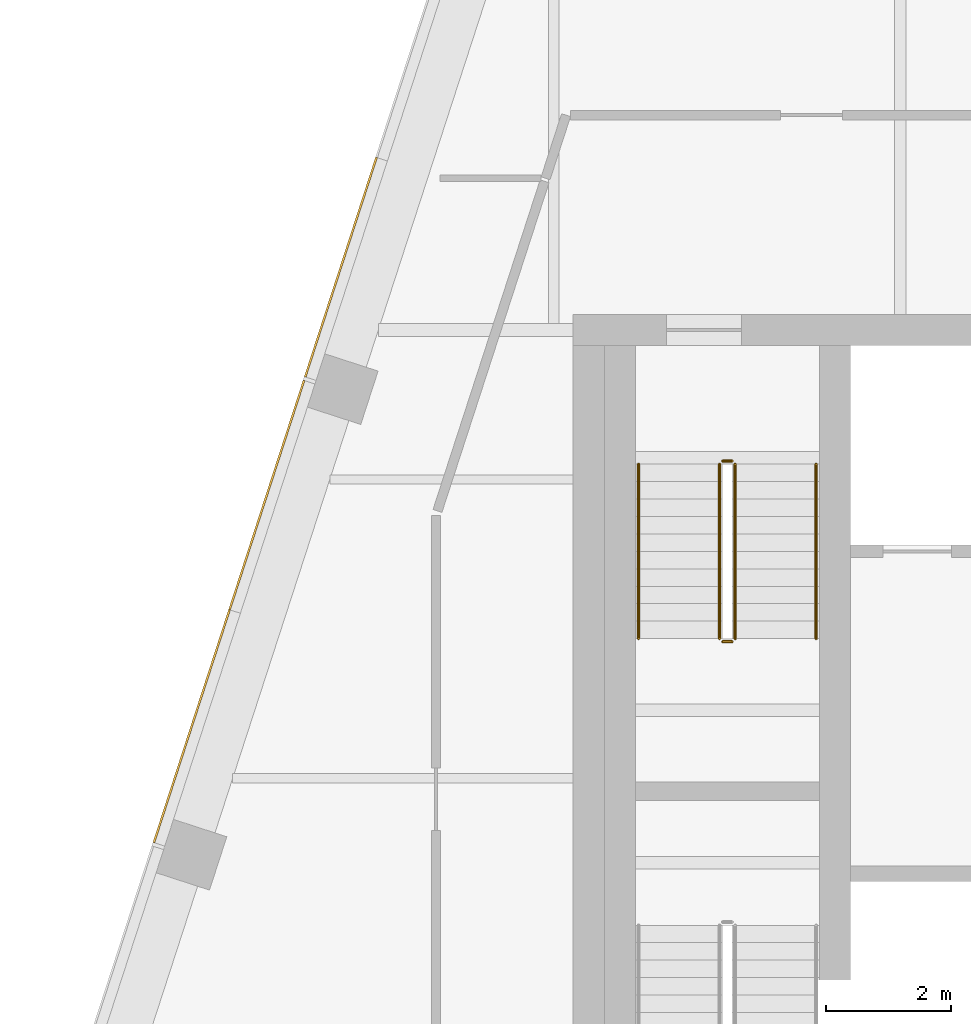
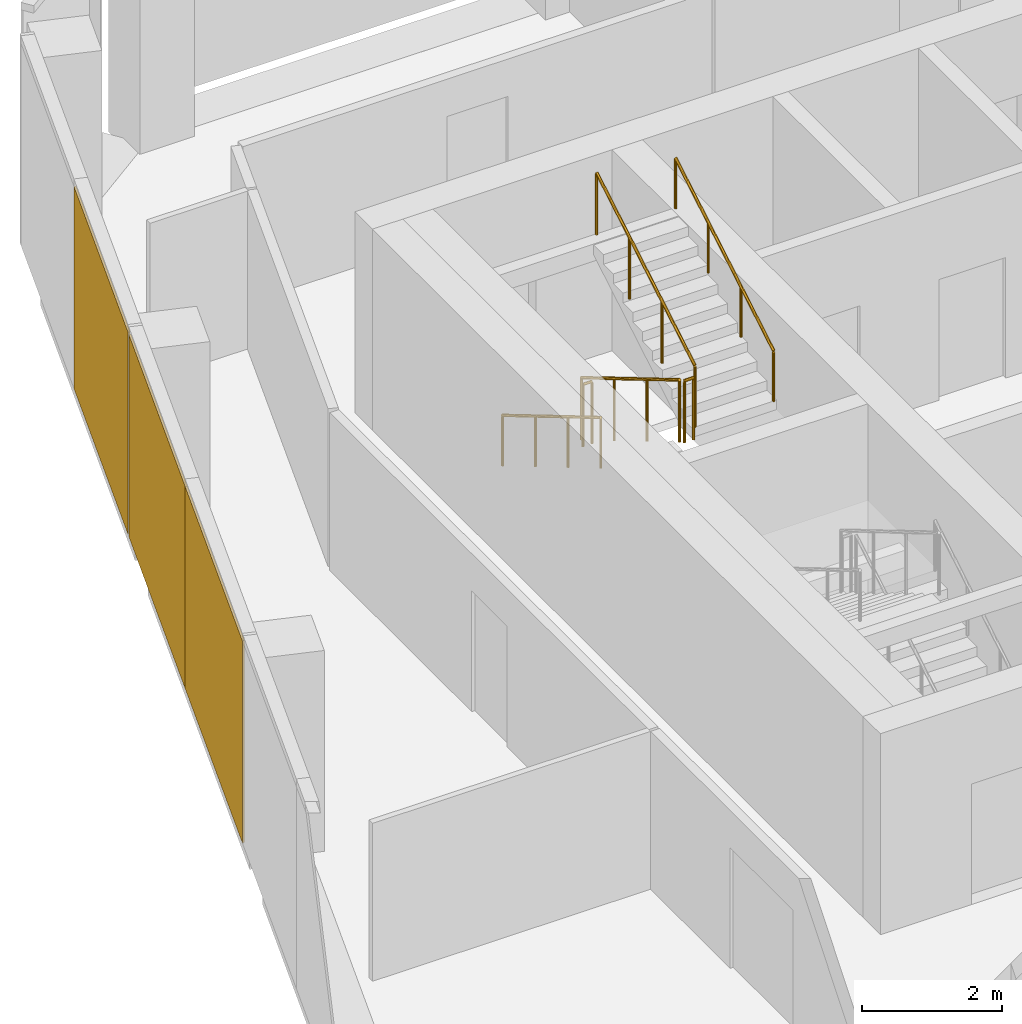
# One storey, part 14 of 15: 6 railings, 3 coverings, 1 element without a shape of its own.
"""IFC4 building model written with IfcOpenShell, lengths in metres."""

from ifc_helpers import new_model, si_unit, direction, frame, origin, origin_2d, place, context, subcontext, project, spatial, rectangle, circle, extrude, material, layer, layer_set, type_object, element, aggregate, save


model = new_model("IFC4")

# Units and contexts
model_context = context("Model", 3, precision=1e-05, world=origin(), true_north=direction((0.0, 1.0)))
body_context = subcontext(model_context, "Body", "Model", "MODEL_VIEW")
ifc_project = project(units=[si_unit("LENGTHUNIT", "METRE"), si_unit("AREAUNIT", "SQUARE_METRE"), si_unit("VOLUMEUNIT", "CUBIC_METRE"), si_unit("PLANEANGLEUNIT", "RADIAN"), si_unit("MASSUNIT", "GRAM", prefix="KILO")], contexts=[model_context])

# Site, building, storey
site_placement = place(None, origin())
site = spatial("IfcSite", under=ifc_project, at=site_placement, CompositionType="ELEMENT")
building_placement = place(site_placement, origin())
building = spatial("IfcBuilding", under=site, at=building_placement, Name="Isthmus Gate Tower", CompositionType="ELEMENT")
storey_placement = place(building_placement, frame((0.0, 0.0, 275.550048828125)))
storey = spatial("IfcBuildingStorey", under=building, at=storey_placement, Name="L70", CompositionType="ELEMENT", Elevation=275.550048828125)

# Curtain wall, coverings
ifc_material_1 = material(Name="Aluminium, pale champagne anodised", Category="aluminium")
ifc_layer_1 = layer(ifc_material_1, 0.199951171875)
ifc_layer_set_1 = layer_set([ifc_layer_1], Name="CW-1 UNITISED CURTAIN WALL 200 DEEP")
curtain_wall_type = type_object("IfcCurtainWallType", Name="CW-1 UNITISED CURTAIN WALL 200 DEEP", PredefinedType="NOTDEFINED", material=ifc_layer_set_1)
curtain_wall_placement = place(storey_placement, origin())
curtain_wall = element("IfcCurtainWall", 1, at=curtain_wall_placement, inside=storey, type_object=curtain_wall_type, Name="CW-1 NW L70", PredefinedType="NOTDEFINED")
ifc_material_2 = material(Name="Aluminium composite panel, pale champagne anodised", Category="aluminium")
ifc_layer_2 = layer(ifc_material_2, 0.031982421875)
ifc_layer_set_2 = layer_set([ifc_layer_2], Name="CW-1 PALE METAL PANEL 32")
covering_type = type_object("IfcCoveringType", Name="CW-1 PALE METAL PANEL 32", PredefinedType="CLADDING", material=ifc_layer_set_2)
covering_1_placement = place(storey_placement, frame((-18.727783203125, 15.760498046875, 0.0), z_axis=(0.0, 0.0, 1.0), x_axis=(-0.309016994375, -0.951056516295, 0.0)))
covering_1 = element("IfcCovering", 2, at=covering_1_placement, type_object=covering_type, Name="CW-1 pale metal panel", PredefinedType="CLADDING", context=body_context, shape_type="SweptSolid", body=[
    extrude(rectangle(XDim=3.703369140625, YDim=0.031982421875, at=origin_2d()), origin(), (0.0, 0.0, 1.0), 3.52001953125),
])
covering_2_placement = place(storey_placement, frame((-19.916259765625, 12.10302734375, 0.0), z_axis=(0.0, 0.0, 1.0), x_axis=(-0.309016994375, -0.951056516295, 0.0)))
covering_2 = element("IfcCovering", 3, at=covering_2_placement, type_object=covering_type, Name="CW-1 pale metal panel", PredefinedType="CLADDING", context=body_context, shape_type="SweptSolid", body=[
    extrude(rectangle(XDim=3.868408203125, YDim=0.031982421875, at=origin_2d()), origin(), (0.0, 0.0, 1.0), 3.52001953125),
])
covering_3_placement = place(storey_placement, frame((-21.120849609375, 8.395263671875, 0.0), z_axis=(0.0, 0.0, 1.0), x_axis=(-0.309016994375, -0.951056516295, 0.0)))
covering_3 = element("IfcCovering", 4, at=covering_3_placement, type_object=covering_type, Name="CW-1 pale metal panel", PredefinedType="CLADDING", context=body_context, shape_type="SweptSolid", body=[
    extrude(rectangle(XDim=3.928466796875, YDim=0.031982421875, at=origin_2d()), origin(), (0.0, 0.0, 1.0), 3.52001953125),
])
aggregate(curtain_wall, [covering_1, covering_2, covering_3])

# Railings
ifc_material_3 = material(Name="Stainless steel balustrade", Category="steel")
railing_type_1 = type_object("IfcRailingType", Name="STAIR GUARD 1100", PredefinedType="GUARDRAIL", material=ifc_material_3)
railing_1_placement = place(storey_placement, frame((-12.64990234375, 12.60009765625, 0.165771484375)))
element("IfcRailing", 5, at=railing_1_placement, inside=storey, type_object=railing_type_1, Name="L70 ST1 stair guard 1", PredefinedType="GUARDRAIL", context=body_context, shape_type="SweptSolid", body=[
    extrude(circle(Radius=0.02392578125, at=origin_2d()), frame((0.0, 0.0, 1.076171875), z_axis=(0.0, -0.860306154799, 0.50977771628), x_axis=(1.0, 0.0, 0.0)), (0.0, 0.0, 1.0), 3.254638671875),
    extrude(circle(Radius=0.02099609375, at=origin_2d()), origin(), (0.0, 0.0, 1.0), 1.052001953125),
    extrude(circle(Radius=0.02099609375, at=origin_2d()), frame((0.0, -0.933349609375, 0.552978515625)), (0.0, 0.0, 1.0), 1.052001953125),
    extrude(circle(Radius=0.02099609375, at=origin_2d()), frame((0.0, -1.86669921875, 1.106201171875)), (0.0, 0.0, 1.0), 1.052001953125),
    extrude(circle(Radius=0.02099609375, at=origin_2d()), frame((0.0, -2.800048828125, 1.6591796875)), (0.0, 0.0, 1.0), 1.052001953125),
])
railing_2_placement = place(storey_placement, frame((-12.60009765625, 9.75, 1.824951171875)))
element("IfcRailing", 6, at=railing_2_placement, inside=storey, type_object=railing_type_1, Name="L70 ST1 stair guard 2", PredefinedType="GUARDRAIL", context=body_context, shape_type="SweptSolid", body=[
    extrude(circle(Radius=0.02392578125, at=origin_2d()), frame((0.0, 0.0, 1.076171875), z_axis=(1.0, 0.0, 0.0), x_axis=(0.0, 1.0, 0.0)), (0.0, 0.0, 1.0), 0.150146484375),
    extrude(circle(Radius=0.02099609375, at=origin_2d()), origin(), (0.0, 0.0, 1.0), 1.052001953125),
    extrude(circle(Radius=0.02099609375, at=origin_2d()), frame((0.150146484375, 0.0, 0.0)), (0.0, 0.0, 1.0), 1.052001953125),
])
railing_3_placement = place(storey_placement, frame((-12.39990234375, 9.800048828125, 1.990966796875)))
element("IfcRailing", 7, at=railing_3_placement, inside=storey, type_object=railing_type_1, Name="L70 ST1 stair guard 3", PredefinedType="GUARDRAIL", context=body_context, shape_type="SweptSolid", body=[
    extrude(circle(Radius=0.02392578125, at=origin_2d()), frame((0.0, 0.0, 1.076171875), z_axis=(0.0, 0.860339051648, 0.50972219513), x_axis=(-1.0, 0.0, 0.0)), (0.0, 0.0, 1.0), 3.254638671875),
    extrude(circle(Radius=0.02099609375, at=origin_2d()), origin(), (0.0, 0.0, 1.0), 1.052001953125),
    extrude(circle(Radius=0.02099609375, at=origin_2d()), frame((0.0, 0.933349609375, 0.552978515625)), (0.0, 0.0, 1.0), 1.052001953125),
    extrude(circle(Radius=0.02099609375, at=origin_2d()), frame((0.0, 1.86669921875, 1.10595703125)), (0.0, 0.0, 1.0), 1.052001953125),
    extrude(circle(Radius=0.02099609375, at=origin_2d()), frame((0.0, 2.800048828125, 1.658935546875)), (0.0, 0.0, 1.0), 1.052001953125),
])
railing_4_placement = place(storey_placement, frame((-12.60009765625, 12.64990234375, 0.0)))
element("IfcRailing", 8, at=railing_4_placement, inside=storey, type_object=railing_type_1, Name="L70 ST1 stair guard 4", PredefinedType="GUARDRAIL", context=body_context, shape_type="SweptSolid", body=[
    extrude(circle(Radius=0.02392578125, at=origin_2d()), frame((0.0, 0.0, 1.076171875), z_axis=(1.0, 0.0, 0.0), x_axis=(0.0, 1.0, 0.0)), (0.0, 0.0, 1.0), 0.150146484375),
    extrude(circle(Radius=0.02099609375, at=origin_2d()), origin(), (0.0, 0.0, 1.0), 1.052001953125),
    extrude(circle(Radius=0.02099609375, at=origin_2d()), frame((0.150146484375, 0.0, 0.0)), (0.0, 0.0, 1.0), 1.052001953125),
])
ifc_material_4 = material(Name="Stainless steel handrail", Category="steel")
railing_type_2 = type_object("IfcRailingType", Name="STAIR HANDRAIL 900", PredefinedType="HANDRAIL", material=ifc_material_4)
railing_5_placement = place(storey_placement, frame((-13.949951171875, 12.60009765625, 0.165771484375)))
element("IfcRailing", 9, at=railing_5_placement, inside=storey, type_object=railing_type_2, Name="L70 ST1 stair handrail 1", PredefinedType="HANDRAIL", context=body_context, shape_type="SweptSolid", body=[
    extrude(circle(Radius=0.02392578125, at=origin_2d()), frame((0.0, 0.0, 0.8759765625), z_axis=(0.0, -0.860306154799, 0.50977771628), x_axis=(1.0, 0.0, 0.0)), (0.0, 0.0, 1.0), 3.254638671875),
    extrude(circle(Radius=0.02099609375, at=origin_2d()), origin(), (0.0, 0.0, 1.0), 0.851806640625),
    extrude(circle(Radius=0.02099609375, at=origin_2d()), frame((0.0, -0.933349609375, 0.552978515625)), (0.0, 0.0, 1.0), 0.851806640625),
    extrude(circle(Radius=0.02099609375, at=origin_2d()), frame((0.0, -1.86669921875, 1.106201171875)), (0.0, 0.0, 1.0), 0.851806640625),
    extrude(circle(Radius=0.02099609375, at=origin_2d()), frame((0.0, -2.800048828125, 1.6591796875)), (0.0, 0.0, 1.0), 0.851806640625),
])
railing_6_placement = place(storey_placement, frame((-11.10009765625, 9.800048828125, 1.990966796875)))
element("IfcRailing", 10, at=railing_6_placement, inside=storey, type_object=railing_type_2, Name="L70 ST1 stair handrail 2", PredefinedType="HANDRAIL", context=body_context, shape_type="SweptSolid", body=[
    extrude(circle(Radius=0.02392578125, at=origin_2d()), frame((0.0, 0.0, 0.8759765625), z_axis=(0.0, 0.860339051648, 0.50972219513), x_axis=(-1.0, 0.0, 0.0)), (0.0, 0.0, 1.0), 3.254638671875),
    extrude(circle(Radius=0.02099609375, at=origin_2d()), origin(), (0.0, 0.0, 1.0), 0.851806640625),
    extrude(circle(Radius=0.02099609375, at=origin_2d()), frame((0.0, 0.933349609375, 0.552978515625)), (0.0, 0.0, 1.0), 0.851806640625),
    extrude(circle(Radius=0.02099609375, at=origin_2d()), frame((0.0, 1.86669921875, 1.10595703125)), (0.0, 0.0, 1.0), 0.851806640625),
    extrude(circle(Radius=0.02099609375, at=origin_2d()), frame((0.0, 2.800048828125, 1.658935546875)), (0.0, 0.0, 1.0), 0.851806640625),
])

save(model, "model.ifc")
